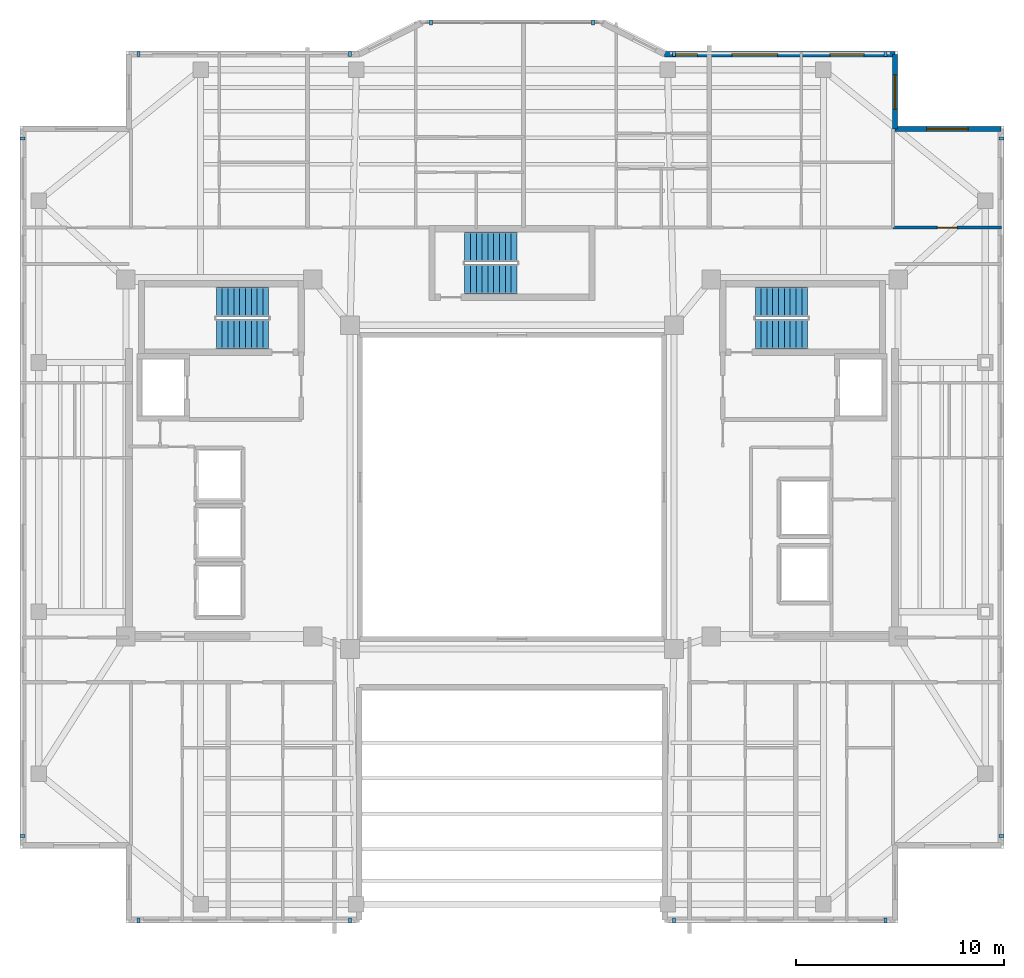
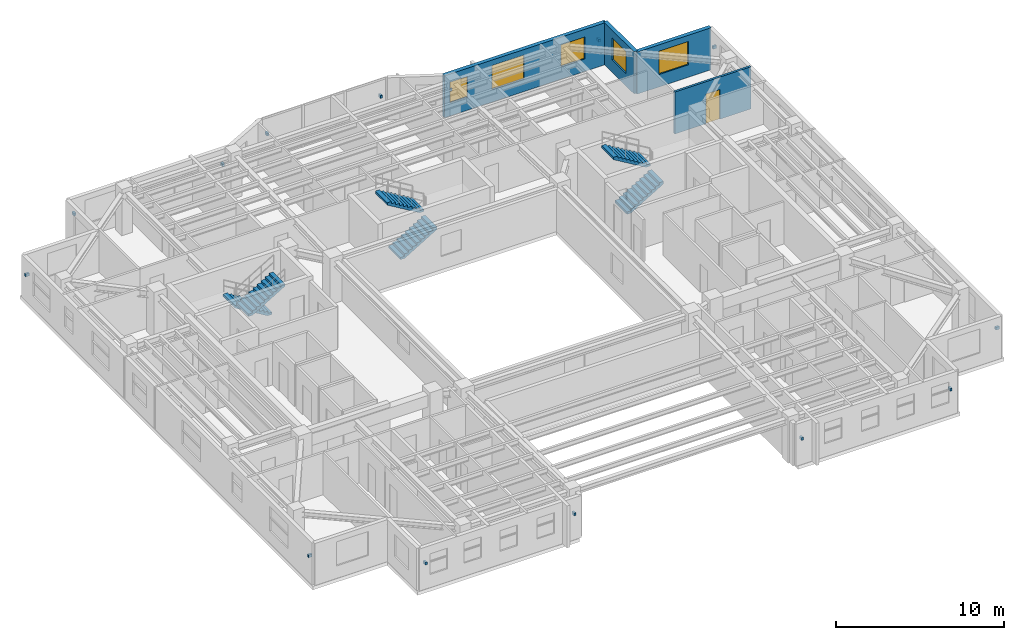
# One storey, part 10 of 13: 14 discrete accessories, 6 stair flights, 5 windows, 4 walls, 1 door, 6 openings, 3 elements without a shape of their own.
"""IFC4 building model written with IfcOpenShell, lengths in metres."""

from ifc_helpers import new_model, si_unit, direction, frame, frame_2d, origin, origin_2d, place, context, subcontext, project, spatial, polyline, rectangle, outline, extrude, material, layer, layer_set, type_object, element, fill, aggregate, save


model = new_model("IFC4")

# Units and contexts
model_context = context("Model", 3, precision=1e-05, world=origin(), true_north=direction((0.0, 1.0)))
body_context = subcontext(model_context, "Body", "Model", "MODEL_VIEW")
ifc_project = project(units=[si_unit("LENGTHUNIT", "METRE"), si_unit("AREAUNIT", "SQUARE_METRE"), si_unit("VOLUMEUNIT", "CUBIC_METRE"), si_unit("PLANEANGLEUNIT", "RADIAN"), si_unit("MASSUNIT", "GRAM", prefix="KILO")], contexts=[model_context])

# Site, building, storey
site_placement = place(None, origin())
site = spatial("IfcSite", under=ifc_project, at=site_placement, CompositionType="ELEMENT")
building_placement = place(site_placement, origin())
building = spatial("IfcBuilding", under=site, at=building_placement, Name="Tarnavaz Court Tower", CompositionType="ELEMENT")
storey_placement = place(building_placement, frame((0.0, 0.0, 223.75)))
storey = spatial("IfcBuildingStorey", under=building, at=storey_placement, Name="L61", CompositionType="ELEMENT", Elevation=223.75)

# Wall, openings, windows
ifc_material_1 = material(Name="Precast Concrete C40/50", Category="concrete")
ifc_layer_1 = layer(ifc_material_1, 0.260009765625)
ifc_layer_set_1 = layer_set([ifc_layer_1], Name="Precast Concrete C40/50")
wall_type_1 = type_object("IfcWallType", Name="WL-EXT-260", PredefinedType="SOLIDWALL", material=ifc_layer_set_1)
wall_1_placement = place(storey_placement, frame((7.35009765625, 20.85009765625, 0.0), z_axis=(0.0, 0.0, 1.0), x_axis=(1.0, 0.0, 0.0)))
wall_1 = element("IfcWall", 1, at=wall_1_placement, inside=storey, type_object=wall_type_1, Name="L61 Exterior Terracotta Facade Wall 09", PredefinedType="SOLIDWALL", context=body_context, shape_type="SweptSolid", body=[
    extrude(rectangle(XDim=11.099853515625, YDim=0.260009765625, at=frame_2d((5.5498046875, 0.0))), origin(), (0.0, 0.0, 1.0), 3.050048828125),
])
opening_1_placement = place(wall_1_placement, frame((0.375, 0.0, 0.949951171875)))
opening_1 = element("IfcOpeningElement", 2, at=opening_1_placement, cuts=wall_1, Name="Opening W05", PredefinedType="OPENING", context=body_context, shape_type="SweptSolid", body=[
    extrude(rectangle(XDim=1.199951171875, YDim=1.5, at=frame_2d((0.60009765625, 0.75))), frame((0.0, 0.139892578125, 0.0), z_axis=(0.0, -1.0, 0.0), x_axis=(1.0, 0.0, 0.0)), (0.0, 0.0, 1.0), 0.280029296875),
])
opening_2_placement = place(wall_1_placement, frame((3.24462890625, 0.0, 0.89990234375)))
opening_2 = element("IfcOpeningElement", 3, at=opening_2_placement, cuts=wall_1, Name="Opening W07", PredefinedType="OPENING", context=body_context, shape_type="SweptSolid", body=[
    extrude(rectangle(XDim=2.199951171875, YDim=1.75, at=frame_2d((1.10009765625, 0.875))), frame((0.0, 0.139892578125, 0.0), z_axis=(0.0, -1.0, 0.0), x_axis=(1.0, 0.0, 0.0)), (0.0, 0.0, 1.0), 0.280029296875),
])
opening_3_placement = place(wall_1_placement, frame((7.964599609375, 0.0, 0.89990234375)))
opening_3 = element("IfcOpeningElement", 4, at=opening_3_placement, cuts=wall_1, Name="Opening W02", PredefinedType="OPENING", context=body_context, shape_type="SweptSolid", body=[
    extrude(rectangle(XDim=1.64990234375, YDim=1.60009765625, at=frame_2d((0.824951171875, 0.800048828125))), frame((0.0, 0.139892578125, 0.0), z_axis=(0.0, -1.0, 0.0), x_axis=(1.0, 0.0, 0.0)), (0.0, 0.0, 1.0), 0.280029296875),
])
ifc_material_2 = material(Name="Double-Glazed Solar Low-E Glass", Category="glass")
window_type_1 = type_object("IfcWindowType", Name="WN-APT-1200", PartitioningType="SINGLE_PANEL", PredefinedType="WINDOW", material=ifc_material_2)
window_1_placement = place(opening_1_placement, origin())
window_1 = element("IfcWindow", 5, at=window_1_placement, inside=storey, type_object=window_type_1, Name="L61 Flat 03 Bedroom 1 Window", OverallHeight=1.5, OverallWidth=1.199951171875, PartitioningType="SINGLE_PANEL", PredefinedType="WINDOW", context=body_context, shape_type="SweptSolid", body=[
    extrude(rectangle(XDim=1.199951171875, YDim=1.5, at=frame_2d((0.60009765625, 0.75))), frame((0.0, 0.030029296875, 0.0), z_axis=(0.0, -1.0, 0.0), x_axis=(1.0, 0.0, 0.0)), (0.0, 0.0, 1.0), 0.06005859375),
])
fill(opening_1, window_1)
window_type_2 = type_object("IfcWindowType", Name="WN-APT-1650", PartitioningType="DOUBLE_PANEL_VERTICAL", PredefinedType="WINDOW", material=ifc_material_2)
window_2_placement = place(opening_3_placement, origin())
window_2 = element("IfcWindow", 6, at=window_2_placement, inside=storey, type_object=window_type_2, Name="L61 Flat 04 Kitchen Window", OverallHeight=1.60009765625, OverallWidth=1.64990234375, PartitioningType="SINGLE_PANEL", PredefinedType="WINDOW", context=body_context, shape_type="SweptSolid", body=[
    extrude(rectangle(XDim=1.64990234375, YDim=1.60009765625, at=frame_2d((0.824951171875, 0.800048828125))), frame((0.0, 0.030029296875, 0.0), z_axis=(0.0, -1.0, 0.0), x_axis=(1.0, 0.0, 0.0)), (0.0, 0.0, 1.0), 0.06005859375),
])
fill(opening_3, window_2)
window_type_3 = type_object("IfcWindowType", Name="WN-APT-2200", PartitioningType="TRIPLE_PANEL_VERTICAL", PredefinedType="WINDOW", material=ifc_material_2)
window_3_placement = place(opening_2_placement, origin())
window_3 = element("IfcWindow", 7, at=window_3_placement, inside=storey, type_object=window_type_3, Name="L61 Flat 04 Studio Living and Sleeping Room Window", OverallHeight=1.75, OverallWidth=2.199951171875, PartitioningType="SINGLE_PANEL", PredefinedType="WINDOW", context=body_context, shape_type="SweptSolid", body=[
    extrude(rectangle(XDim=2.199951171875, YDim=1.75, at=frame_2d((1.10009765625, 0.875))), frame((0.0, 0.030029296875, 0.0), z_axis=(0.0, -1.0, 0.0), x_axis=(1.0, 0.0, 0.0)), (0.0, 0.0, 1.0), 0.06005859375),
])
fill(opening_2, window_3)

# Wall, opening, window
wall_2_placement = place(storey_placement, frame((18.449951171875, 20.85009765625, 0.0), z_axis=(0.0, 0.0, 1.0), x_axis=(0.0, -1.0, 0.0)))
wall_2 = element("IfcWall", 8, at=wall_2_placement, inside=storey, type_object=wall_type_1, Name="L61 Exterior Terracotta Facade Wall 10", PredefinedType="SOLIDWALL", context=body_context, shape_type="SweptSolid", body=[
    extrude(rectangle(XDim=3.60009765625, YDim=0.260009765625, at=frame_2d((1.800048828125, 0.0))), origin(), (0.0, 0.0, 1.0), 3.050048828125),
])
opening_4_placement = place(wall_2_placement, frame((0.992431640625, 0.0, 0.89990234375)))
opening_4 = element("IfcOpeningElement", 9, at=opening_4_placement, cuts=wall_2, Name="Opening W02", PredefinedType="OPENING", context=body_context, shape_type="SweptSolid", body=[
    extrude(rectangle(XDim=1.64990234375, YDim=1.60009765625, at=frame_2d((0.824951171875, 0.800048828125))), frame((0.0, 0.139892578125, 0.0), z_axis=(0.0, -1.0, 0.0), x_axis=(1.0, 0.0, 0.0)), (0.0, 0.0, 1.0), 0.280029296875),
])
window_4_placement = place(opening_4_placement, origin())
window_4 = element("IfcWindow", 10, at=window_4_placement, inside=storey, type_object=window_type_2, Name="L61 Flat 04 Kitchen Window", OverallHeight=1.60009765625, OverallWidth=1.64990234375, PartitioningType="SINGLE_PANEL", PredefinedType="WINDOW", context=body_context, shape_type="SweptSolid", body=[
    extrude(rectangle(XDim=1.64990234375, YDim=1.60009765625, at=frame_2d((0.824951171875, 0.800048828125))), frame((0.0, 0.030029296875, 0.0), z_axis=(0.0, -1.0, 0.0), x_axis=(1.0, 0.0, 0.0)), (0.0, 0.0, 1.0), 0.06005859375),
])
fill(opening_4, window_4)

wall_3_placement = place(storey_placement, frame((18.449951171875, 17.25, 0.0), z_axis=(0.0, 0.0, 1.0), x_axis=(1.0, 0.0, 0.0)))
wall_3 = element("IfcWall", 11, at=wall_3_placement, inside=storey, type_object=wall_type_1, Name="L61 Exterior Terracotta Facade Wall 11", PredefinedType="SOLIDWALL", context=body_context, shape_type="SweptSolid", body=[
    extrude(rectangle(XDim=5.10009765625, YDim=0.260009765625, at=frame_2d((2.550048828125, 0.0))), origin(), (0.0, 0.0, 1.0), 3.050048828125),
])
opening_5_placement = place(wall_3_placement, frame((1.52490234375, 0.0, 0.89990234375)))
opening_5 = element("IfcOpeningElement", 12, at=opening_5_placement, cuts=wall_3, Name="Opening W08", PredefinedType="OPENING", context=body_context, shape_type="SweptSolid", body=[
    extrude(rectangle(XDim=2.0, YDim=1.699951171875, at=frame_2d((1.0, 0.85009765625))), frame((0.0, 0.139892578125, 0.0), z_axis=(0.0, -1.0, 0.0), x_axis=(1.0, 0.0, 0.0)), (0.0, 0.0, 1.0), 0.280029296875),
])
window_type_4 = type_object("IfcWindowType", Name="WN-APT-2000", PartitioningType="DOUBLE_PANEL_VERTICAL", PredefinedType="WINDOW", material=ifc_material_2)
window_5_placement = place(opening_5_placement, origin())
window_5 = element("IfcWindow", 13, at=window_5_placement, inside=storey, type_object=window_type_4, Name="L61 North-East Corner Sunroom Study Window", OverallHeight=1.699951171875, OverallWidth=2.0, PartitioningType="SINGLE_PANEL", PredefinedType="WINDOW", context=body_context, shape_type="SweptSolid", body=[
    extrude(rectangle(XDim=2.0, YDim=1.699951171875, at=frame_2d((1.0, 0.85009765625))), frame((0.0, 0.030029296875, 0.0), z_axis=(0.0, -1.0, 0.0), x_axis=(1.0, 0.0, 0.0)), (0.0, 0.0, 1.0), 0.06005859375),
])
fill(opening_5, window_5)

# Wall, opening, door
ifc_material_3 = material(Name="Gypsum Fire-Board on Acoustic Metal Stud", Category="masonry")
ifc_layer_2 = layer(ifc_material_3, 0.14990234375)
ifc_layer_set_2 = layer_set([ifc_layer_2], Name="Gypsum Fire-Board on Acoustic Metal Stud")
wall_type_2 = type_object("IfcWallType", Name="WL-FIRE-150", PredefinedType="PARTITIONING", material=ifc_layer_set_2)
wall_4_placement = place(storey_placement, frame((18.35009765625, 12.5, 0.0), z_axis=(0.0, 0.0, 1.0), x_axis=(1.0, 0.0, 0.0)))
wall_4 = element("IfcWall", 14, at=wall_4_placement, inside=storey, type_object=wall_type_2, Name="L61 Interior Partition 108", PredefinedType="PARTITIONING", context=body_context, shape_type="SweptSolid", body=[
    extrude(rectangle(XDim=5.22998046875, YDim=0.14990234375, at=frame_2d((2.614990234375, 0.0))), origin(), (0.0, 0.0, 1.0), 3.050048828125),
])
opening_6_placement = place(wall_4_placement, frame((2.139892578125, 0.0, 0.0)))
opening_6 = element("IfcOpeningElement", 15, at=opening_6_placement, cuts=wall_4, Name="Opening D13", PredefinedType="OPENING", context=body_context, shape_type="SweptSolid", body=[
    extrude(rectangle(XDim=0.949951171875, YDim=2.14990234375, at=frame_2d((0.47509765625, 1.074951171875))), frame((0.0, 0.0849609375, 0.0), z_axis=(0.0, -1.0, 0.0), x_axis=(1.0, 0.0, 0.0)), (0.0, 0.0, 1.0), 0.169921875),
])
ifc_material_4 = material(Name="Engineered Oak Timber", Category="wood")
door_type = type_object("IfcDoorType", Name="DR-INT-950", OperationType="NOTDEFINED", PredefinedType="DOOR", material=ifc_material_4)
door_placement = place(opening_6_placement, origin())
door = element("IfcDoor", 16, at=door_placement, inside=storey, type_object=door_type, Name="L61 NE Sunroom Door", OperationType="SINGLE_SWING_LEFT", OverallHeight=2.14990234375, OverallWidth=0.949951171875, PredefinedType="DOOR", context=body_context, shape_type="SweptSolid", body=[
    extrude(rectangle(XDim=0.949951171875, YDim=2.14990234375, at=frame_2d((0.47509765625, 1.074951171875))), frame((0.0, 0.02490234375, 0.0), z_axis=(0.0, -1.0, 0.0), x_axis=(1.0, 0.0, 0.0)), (0.0, 0.0, 1.0), 0.050048828125),
])
fill(opening_6, door)

# Stair, stair flights
ifc_material_5 = material(Name="Concrete C40/50", Category="concrete")
stair_type = type_object("IfcStairType", Name="ST-TWR-20R", PredefinedType="HALF_TURN_STAIR", material=ifc_material_5)
stair_1_placement = place(storey_placement, origin())
stair_1 = element("IfcStair", 17, at=stair_1_placement, inside=storey, type_object=stair_type, Name="L61 West Core Pressurized Exit Stair ST-W1", PredefinedType="HALF_TURN_STAIR")
stair_flight_type = type_object("IfcStairFlightType", Name="SFL-RC-20R", PredefinedType="STRAIGHT", material=ifc_material_5)
stair_flight_1_placement = place(storey_placement, frame((-11.719970703125, 8.929931640625, 0.0), z_axis=(0.0, 0.0, 1.0), x_axis=(-1.0, 0.0, 0.0)))
stair_flight_1 = element("IfcStairFlight", 18, at=stair_flight_1_placement, type_object=stair_flight_type, Name="ST-W1 flight 1", NumberOfRisers=10, NumberOfTreads=9, PredefinedType="STRAIGHT", RiserHeight=0.1675, TreadLength=0.28, context=body_context, shape_type="SweptSolid", body=[
    extrude(outline(polyline([(0.0, 0.0), (0.0, 0.16748046875), (0.280029296875, 0.16748046875), (0.280029296875, 0.3349609375), (0.56005859375, 0.3349609375), (0.56005859375, 0.50244140625), (0.840087890625, 0.50244140625), (0.840087890625, 0.669921875), (1.1201171875, 0.669921875), (1.1201171875, 0.83740234375), (1.39990234375, 0.83740234375), (1.39990234375, 1.0048828125), (1.679931640625, 1.0048828125), (1.679931640625, 1.172607421875), (1.9599609375, 1.172607421875), (1.9599609375, 1.340087890625), (2.239990234375, 1.340087890625), (2.239990234375, 1.507568359375), (2.52001953125, 1.507568359375), (2.52001953125, 1.675048828125), (2.52001953125, 1.332763671875), (0.2919921875, 0.0), (0.0, 0.0)])), frame((0.0, 0.7099609375, 0.0), z_axis=(0.0, -1.0, 0.0), x_axis=(1.0, 0.0, 0.0)), (0.0, 0.0, 1.0), 1.419921875),
])
stair_flight_2_placement = place(storey_placement, frame((-14.239990234375, 7.360107421875, 1.675048828125), z_axis=(0.0, 0.0, 1.0), x_axis=(1.0, 0.0, 0.0)))
stair_flight_2 = element("IfcStairFlight", 19, at=stair_flight_2_placement, type_object=stair_flight_type, Name="ST-W1 flight 2", NumberOfRisers=10, NumberOfTreads=9, PredefinedType="STRAIGHT", RiserHeight=0.1675, TreadLength=0.28, context=body_context, shape_type="SweptSolid", body=[
    extrude(outline(polyline([(0.0, 0.0), (0.0, 0.16748046875), (0.280029296875, 0.16748046875), (0.280029296875, 0.3349609375), (0.56005859375, 0.3349609375), (0.56005859375, 0.50244140625), (0.840087890625, 0.50244140625), (0.840087890625, 0.669921875), (1.1201171875, 0.669921875), (1.1201171875, 0.83740234375), (1.39990234375, 0.83740234375), (1.39990234375, 1.0048828125), (1.679931640625, 1.0048828125), (1.679931640625, 1.172607421875), (1.9599609375, 1.172607421875), (1.9599609375, 1.340087890625), (2.239990234375, 1.340087890625), (2.239990234375, 1.507568359375), (2.52001953125, 1.507568359375), (2.52001953125, 1.675048828125), (2.52001953125, 1.332763671875), (0.2919921875, 0.0), (0.0, 0.0)])), frame((0.0, 0.7099609375, 0.0), z_axis=(0.0, -1.0, 0.0), x_axis=(1.0, 0.0, 0.0)), (0.0, 0.0, 1.0), 1.419921875),
])
aggregate(stair_1, [stair_flight_1, stair_flight_2])

stair_2_placement = place(storey_placement, origin())
stair_2 = element("IfcStair", 20, at=stair_2_placement, inside=storey, type_object=stair_type, Name="L61 East Core Pressurized Exit Stair ST-E1", PredefinedType="HALF_TURN_STAIR")
stair_flight_3_placement = place(storey_placement, frame((11.719970703125, 7.360107421875, 0.0), z_axis=(0.0, 0.0, 1.0), x_axis=(1.0, 0.0, 0.0)))
stair_flight_3 = element("IfcStairFlight", 21, at=stair_flight_3_placement, type_object=stair_flight_type, Name="ST-E1 flight 1", NumberOfRisers=10, NumberOfTreads=9, PredefinedType="STRAIGHT", RiserHeight=0.1675, TreadLength=0.28, context=body_context, shape_type="SweptSolid", body=[
    extrude(outline(polyline([(0.0, 0.0), (0.0, 0.16748046875), (0.280029296875, 0.16748046875), (0.280029296875, 0.3349609375), (0.56005859375, 0.3349609375), (0.56005859375, 0.50244140625), (0.840087890625, 0.50244140625), (0.840087890625, 0.669921875), (1.1201171875, 0.669921875), (1.1201171875, 0.83740234375), (1.39990234375, 0.83740234375), (1.39990234375, 1.0048828125), (1.679931640625, 1.0048828125), (1.679931640625, 1.172607421875), (1.9599609375, 1.172607421875), (1.9599609375, 1.340087890625), (2.239990234375, 1.340087890625), (2.239990234375, 1.507568359375), (2.52001953125, 1.507568359375), (2.52001953125, 1.675048828125), (2.52001953125, 1.332763671875), (0.2919921875, 0.0), (0.0, 0.0)])), frame((0.0, 0.7099609375, 0.0), z_axis=(0.0, -1.0, 0.0), x_axis=(1.0, 0.0, 0.0)), (0.0, 0.0, 1.0), 1.419921875),
])
stair_flight_4_placement = place(storey_placement, frame((14.239990234375, 8.929931640625, 1.675048828125), z_axis=(0.0, 0.0, 1.0), x_axis=(-1.0, 0.0, 0.0)))
stair_flight_4 = element("IfcStairFlight", 22, at=stair_flight_4_placement, type_object=stair_flight_type, Name="ST-E1 flight 2", NumberOfRisers=10, NumberOfTreads=9, PredefinedType="STRAIGHT", RiserHeight=0.1675, TreadLength=0.28, context=body_context, shape_type="SweptSolid", body=[
    extrude(outline(polyline([(0.0, 0.0), (0.0, 0.16748046875), (0.280029296875, 0.16748046875), (0.280029296875, 0.3349609375), (0.56005859375, 0.3349609375), (0.56005859375, 0.50244140625), (0.840087890625, 0.50244140625), (0.840087890625, 0.669921875), (1.1201171875, 0.669921875), (1.1201171875, 0.83740234375), (1.39990234375, 0.83740234375), (1.39990234375, 1.0048828125), (1.679931640625, 1.0048828125), (1.679931640625, 1.172607421875), (1.9599609375, 1.172607421875), (1.9599609375, 1.340087890625), (2.239990234375, 1.340087890625), (2.239990234375, 1.507568359375), (2.52001953125, 1.507568359375), (2.52001953125, 1.675048828125), (2.52001953125, 1.332763671875), (0.2919921875, 0.0), (0.0, 0.0)])), frame((0.0, 0.7099609375, 0.0), z_axis=(0.0, -1.0, 0.0), x_axis=(1.0, 0.0, 0.0)), (0.0, 0.0, 1.0), 1.419921875),
])
aggregate(stair_2, [stair_flight_3, stair_flight_4])

stair_3_placement = place(storey_placement, origin())
stair_3 = element("IfcStair", 23, at=stair_3_placement, inside=storey, type_object=stair_type, Name="L61 North Ring Pressurized Exit Stair ST-N1", PredefinedType="HALF_TURN_STAIR")
stair_flight_5_placement = place(storey_placement, frame((-2.280029296875, 10.010009765625, 0.0), z_axis=(0.0, 0.0, 1.0), x_axis=(1.0, 0.0, 0.0)))
stair_flight_5 = element("IfcStairFlight", 24, at=stair_flight_5_placement, type_object=stair_flight_type, Name="ST-N1 flight 1", NumberOfRisers=10, NumberOfTreads=9, PredefinedType="STRAIGHT", RiserHeight=0.1675, TreadLength=0.28, context=body_context, shape_type="SweptSolid", body=[
    extrude(outline(polyline([(0.0, 0.0), (0.0, 0.16748046875), (0.280029296875, 0.16748046875), (0.280029296875, 0.3349609375), (0.56005859375, 0.3349609375), (0.56005859375, 0.50244140625), (0.840087890625, 0.50244140625), (0.840087890625, 0.669921875), (1.1201171875, 0.669921875), (1.1201171875, 0.83740234375), (1.39990234375, 0.83740234375), (1.39990234375, 1.0048828125), (1.679931640625, 1.0048828125), (1.679931640625, 1.172607421875), (1.9599609375, 1.172607421875), (1.9599609375, 1.340087890625), (2.239990234375, 1.340087890625), (2.239990234375, 1.507568359375), (2.52001953125, 1.507568359375), (2.52001953125, 1.675048828125), (2.52001953125, 1.332763671875), (0.2919921875, 0.0), (0.0, 0.0)])), frame((0.0, 0.7099609375, 0.0), z_axis=(0.0, -1.0, 0.0), x_axis=(1.0, 0.0, 0.0)), (0.0, 0.0, 1.0), 1.419921875),
])
stair_flight_6_placement = place(storey_placement, frame((0.239990234375, 11.580078125, 1.675048828125), z_axis=(0.0, 0.0, 1.0), x_axis=(-1.0, 0.0, 0.0)))
stair_flight_6 = element("IfcStairFlight", 25, at=stair_flight_6_placement, type_object=stair_flight_type, Name="ST-N1 flight 2", NumberOfRisers=10, NumberOfTreads=9, PredefinedType="STRAIGHT", RiserHeight=0.1675, TreadLength=0.28, context=body_context, shape_type="SweptSolid", body=[
    extrude(outline(polyline([(0.0, 0.0), (0.0, 0.16748046875), (0.280029296875, 0.16748046875), (0.280029296875, 0.3349609375), (0.56005859375, 0.3349609375), (0.56005859375, 0.50244140625), (0.840087890625, 0.50244140625), (0.840087890625, 0.669921875), (1.1201171875, 0.669921875), (1.1201171875, 0.83740234375), (1.39990234375, 0.83740234375), (1.39990234375, 1.0048828125), (1.679931640625, 1.0048828125), (1.679931640625, 1.172607421875), (1.9599609375, 1.172607421875), (1.9599609375, 1.340087890625), (2.239990234375, 1.340087890625), (2.239990234375, 1.507568359375), (2.52001953125, 1.507568359375), (2.52001953125, 1.675048828125), (2.52001953125, 1.332763671875), (0.2919921875, 0.0), (0.0, 0.0)])), frame((0.0, 0.7099609375, 0.0), z_axis=(0.0, -1.0, 0.0), x_axis=(1.0, 0.0, 0.0)), (0.0, 0.0, 1.0), 1.419921875),
])
aggregate(stair_3, [stair_flight_5, stair_flight_6])

# Discrete accessories
ifc_material_6 = material(Name="Anodised Aluminium 6063-T6", Category="aluminium")
discrete_accessory_type = type_object("IfcDiscreteAccessoryType", Name="DA-BRKT-ALU", PredefinedType="BRACKET", material=ifc_material_6)
for number, where, z_axis, x_axis, name in (
    (26, (-23.570068359375, -16.800048828125, 1.75), (0.0, 0.0, 1.0), (0.0, 1.0, 0.0), "L61 Baguette Outrigger Bracket FBG02-1"),
    (27, (-23.570068359375, 16.800048828125, 1.75), (0.0, 0.0, 1.0), (0.0, 1.0, 0.0), "L61 Baguette Outrigger Bracket FBG02-2"),
    (28, (-18.0, 20.8701171875, 1.75), (0.0, 0.0, 1.0), (1.0, 0.0, 0.0), "L61 Baguette Outrigger Bracket FBG05-1"),
    (29, (-7.800048828125, 20.8701171875, 1.75), (0.0, 0.0, 1.0), (1.0, 0.0, 0.0), "L61 Baguette Outrigger Bracket FBG05-2"),
    (30, (-3.89990234375, 22.3701171875, 1.7001953125), (0.0, 0.0, 1.0), (1.0, 0.0, 0.0), "L61 Baguette Outrigger Bracket PBG7-1"),
    (31, (3.89990234375, 22.3701171875, 1.7001953125), (0.0, 0.0, 1.0), (1.0, 0.0, 0.0), "L61 Baguette Outrigger Bracket PBG7-2"),
    (32, (7.800048828125, 20.8701171875, 1.75), (0.0, 0.0, 1.0), (1.0, 0.0, 0.0), "L61 Baguette Outrigger Bracket FBG09-1"),
    (33, (18.0, 20.8701171875, 1.75), (0.0, 0.0, 1.0), (1.0, 0.0, 0.0), "L61 Baguette Outrigger Bracket FBG09-2"),
    (34, (23.570068359375, 16.800048828125, 1.75), (0.0, 0.0, 1.0), (0.0, -1.0, 0.0), "L61 Baguette Outrigger Bracket FBG12-1"),
    (35, (23.570068359375, -16.800048828125, 1.75), (0.0, 0.0, 1.0), (0.0, -1.0, 0.0), "L61 Baguette Outrigger Bracket FBG12-2"),
    (36, (18.0, -20.8701171875, 1.75), (0.0, 0.0, 1.0), (-1.0, 0.0, 0.0), "L61 Baguette Outrigger Bracket FBG15-1"),
    (37, (7.800048828125, -20.8701171875, 1.75), (0.0, 0.0, 1.0), (-1.0, 0.0, 0.0), "L61 Baguette Outrigger Bracket FBG15-2"),
    (38, (-7.800048828125, -20.8701171875, 1.75), (0.0, 0.0, 1.0), (-1.0, 0.0, 0.0), "L61 Baguette Outrigger Bracket FBG19-1"),
    (39, (-18.0, -20.8701171875, 1.75), (0.0, 0.0, 1.0), (-1.0, 0.0, 0.0), "L61 Baguette Outrigger Bracket FBG19-2"),
):
    element("IfcDiscreteAccessory", number, at=place(storey_placement, frame(where, z_axis=z_axis, x_axis=x_axis)), inside=storey, type_object=discrete_accessory_type, Name=name, PredefinedType="BRACKET", context=body_context, shape_type="SweptSolid", body=[
        extrude(rectangle(XDim=0.139892578125, YDim=0.239990234375, at=origin_2d()), origin(), (0.0, 0.0, 1.0), 0.199951171875),
    ])

save(model, "model.ifc")
